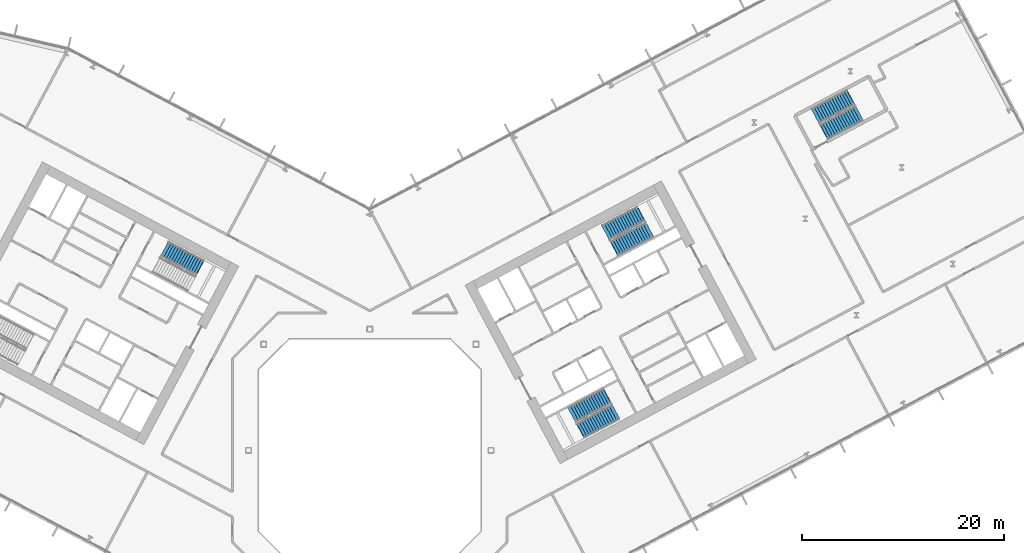
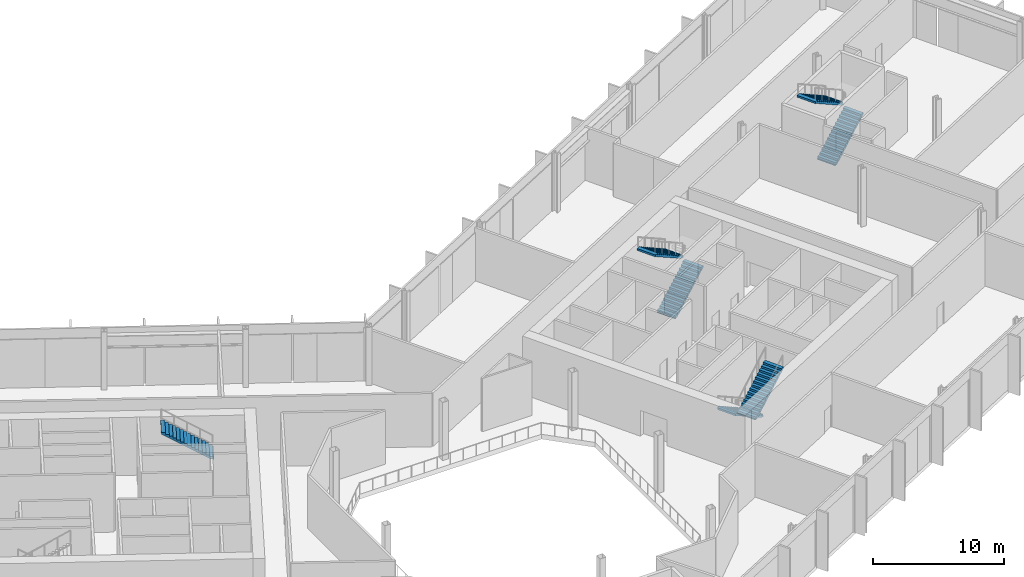
# One storey, part 19 of 31: 7 stair flights, 4 elements without a shape of their own.
"""IFC4 building model written with IfcOpenShell, lengths in metres."""

from ifc_helpers import new_model, si_unit, direction, frame, origin, place, context, subcontext, project, spatial, polyline, outline, extrude, material, type_object, element, aggregate, save


model = new_model("IFC4")

# Units and contexts
model_context = context("Model", 3, precision=1e-05, world=origin(), true_north=direction((0.0, 1.0)))
body_context = subcontext(model_context, "Body", "Model", "MODEL_VIEW")
ifc_project = project(units=[si_unit("LENGTHUNIT", "METRE"), si_unit("AREAUNIT", "SQUARE_METRE"), si_unit("VOLUMEUNIT", "CUBIC_METRE"), si_unit("PLANEANGLEUNIT", "RADIAN"), si_unit("MASSUNIT", "GRAM", prefix="KILO")], contexts=[model_context])

# Site, building, storey
site_placement = place(None, origin())
site = spatial("IfcSite", under=ifc_project, at=site_placement, CompositionType="ELEMENT")
building_placement = place(site_placement, origin())
building = spatial("IfcBuilding", under=site, at=building_placement, Name="Cormorant Relay Tower", CompositionType="ELEMENT")
storey_placement = place(building_placement, frame((0.0, 0.0, 33.800048828125)))
storey = spatial("IfcBuildingStorey", under=building, at=storey_placement, Name="L06", CompositionType="ELEMENT", Elevation=33.800048828125)

# Stair, stair flight
ifc_material_1 = material(Name="Concrete 40 MPa", Category="concrete")
stair_type = type_object("IfcStairType", Name="Exit stair 1500", PredefinedType="HALF_TURN_STAIR", material=ifc_material_1)
stair_1_placement = place(storey_placement, origin())
stair_1 = element("IfcStair", 1, at=stair_1_placement, inside=storey, type_object=stair_type, Name="L06 Stair", PredefinedType="HALF_TURN_STAIR")
ifc_material_2 = material(Name="Concrete 40 MPa", Category="concrete")
stair_flight_type = type_object("IfcStairFlightType", Name="Exit stair flight 1650", PredefinedType="STRAIGHT", material=ifc_material_2)
stair_flight_1_placement = place(storey_placement, frame((-16.80810546875, 18.08251953125, 2.699951171875), z_axis=(0.0, 0.0, 1.0), x_axis=(-0.882947592859, 0.469471562786, 0.0)))
stair_flight_1 = element("IfcStairFlight", 2, at=stair_flight_1_placement, type_object=stair_flight_type, Name="A1 flight 2", NumberOfRisers=15, NumberOfTreads=14, PredefinedType="STRAIGHT", RiserHeight=0.18, TreadLength=0.28, context=body_context, shape_type="SweptSolid", body=[
    extrude(outline(polyline([(-0.050048828125, -0.080078125), (-0.050048828125, 0.0), (0.0, 0.0), (0.0, 0.179931640625), (0.280029296875, 0.179931640625), (0.280029296875, 0.360107421875), (0.56005859375, 0.360107421875), (0.56005859375, 0.5400390625), (0.840087890625, 0.5400390625), (0.840087890625, 0.719970703125), (1.1201171875, 0.719970703125), (1.1201171875, 0.89990234375), (1.39990234375, 0.89990234375), (1.39990234375, 1.080078125), (1.679931640625, 1.080078125), (1.679931640625, 1.260009765625), (1.9599609375, 1.260009765625), (1.9599609375, 1.43994140625), (2.239990234375, 1.43994140625), (2.239990234375, 1.6201171875), (2.52001953125, 1.6201171875), (2.52001953125, 1.800048828125), (2.800048828125, 1.800048828125), (2.800048828125, 1.97998046875), (3.080078125, 1.97998046875), (3.080078125, 2.159912109375), (3.360107421875, 2.159912109375), (3.360107421875, 2.340087890625), (3.639892578125, 2.340087890625), (3.639892578125, 2.52001953125), (3.919921875, 2.52001953125), (3.969970703125, 2.52001953125), (3.969970703125, 2.341796875), (3.919921875, 2.341796875), (0.277099609375, 0.0), (-0.050048828125, -0.080078125)])), frame((0.0, 0.824951171875, 0.0), z_axis=(0.0, -1.0, 0.0), x_axis=(1.0, 0.0, 0.0)), (0.0, 0.0, 1.0), 1.64990234375),
])
aggregate(stair_1, [stair_flight_1])

# Stair, stair flights
stair_2_placement = place(storey_placement, origin())
stair_2 = element("IfcStair", 3, at=stair_2_placement, inside=storey, type_object=stair_type, Name="L06 Stair", PredefinedType="HALF_TURN_STAIR")
stair_flight_2_placement = place(storey_placement, frame((23.474365234375, 5.374755859375, 0.0), z_axis=(0.0, 0.0, 1.0), x_axis=(-0.882947592859, -0.469471562786, 0.0)))
stair_flight_2 = element("IfcStairFlight", 4, at=stair_flight_2_placement, type_object=stair_flight_type, Name="B1 flight 1", NumberOfRisers=15, NumberOfTreads=14, PredefinedType="STRAIGHT", RiserHeight=0.18, TreadLength=0.28, context=body_context, shape_type="SweptSolid", body=[
    extrude(outline(polyline([(-0.050048828125, -0.080078125), (-0.050048828125, 0.0), (0.0, 0.0), (0.0, 0.179931640625), (0.280029296875, 0.179931640625), (0.280029296875, 0.360107421875), (0.56005859375, 0.360107421875), (0.56005859375, 0.5400390625), (0.840087890625, 0.5400390625), (0.840087890625, 0.719970703125), (1.1201171875, 0.719970703125), (1.1201171875, 0.89990234375), (1.39990234375, 0.89990234375), (1.39990234375, 1.080078125), (1.679931640625, 1.080078125), (1.679931640625, 1.260009765625), (1.9599609375, 1.260009765625), (1.9599609375, 1.43994140625), (2.239990234375, 1.43994140625), (2.239990234375, 1.6201171875), (2.52001953125, 1.6201171875), (2.52001953125, 1.800048828125), (2.800048828125, 1.800048828125), (2.800048828125, 1.97998046875), (3.080078125, 1.97998046875), (3.080078125, 2.159912109375), (3.360107421875, 2.159912109375), (3.360107421875, 2.340087890625), (3.639892578125, 2.340087890625), (3.639892578125, 2.52001953125), (3.919921875, 2.52001953125), (3.969970703125, 2.52001953125), (3.969970703125, 2.341796875), (3.919921875, 2.341796875), (0.277099609375, 0.0), (-0.050048828125, -0.080078125)])), frame((0.0, 0.824951171875, 0.0), z_axis=(0.0, -1.0, 0.0), x_axis=(1.0, 0.0, 0.0)), (0.0, 0.0, 1.0), 1.64990234375),
])
stair_flight_3_placement = place(storey_placement, frame((20.8583984375, 1.945068359375, 2.699951171875), z_axis=(0.0, 0.0, 1.0), x_axis=(0.882947592859, 0.469471562786, 0.0)))
stair_flight_3 = element("IfcStairFlight", 5, at=stair_flight_3_placement, type_object=stair_flight_type, Name="B1 flight 2", NumberOfRisers=15, NumberOfTreads=14, PredefinedType="STRAIGHT", RiserHeight=0.18, TreadLength=0.28, context=body_context, shape_type="SweptSolid", body=[
    extrude(outline(polyline([(-0.050048828125, -0.080078125), (-0.050048828125, 0.0), (0.0, 0.0), (0.0, 0.179931640625), (0.280029296875, 0.179931640625), (0.280029296875, 0.360107421875), (0.56005859375, 0.360107421875), (0.56005859375, 0.5400390625), (0.840087890625, 0.5400390625), (0.840087890625, 0.719970703125), (1.1201171875, 0.719970703125), (1.1201171875, 0.89990234375), (1.39990234375, 0.89990234375), (1.39990234375, 1.080078125), (1.679931640625, 1.080078125), (1.679931640625, 1.260009765625), (1.9599609375, 1.260009765625), (1.9599609375, 1.43994140625), (2.239990234375, 1.43994140625), (2.239990234375, 1.6201171875), (2.52001953125, 1.6201171875), (2.52001953125, 1.800048828125), (2.800048828125, 1.800048828125), (2.800048828125, 1.97998046875), (3.080078125, 1.97998046875), (3.080078125, 2.159912109375), (3.360107421875, 2.159912109375), (3.360107421875, 2.340087890625), (3.639892578125, 2.340087890625), (3.639892578125, 2.52001953125), (3.919921875, 2.52001953125), (3.969970703125, 2.52001953125), (3.969970703125, 2.341796875), (3.919921875, 2.341796875), (0.277099609375, 0.0), (-0.050048828125, -0.080078125)])), frame((0.0, 0.824951171875, 0.0), z_axis=(0.0, -1.0, 0.0), x_axis=(1.0, 0.0, 0.0)), (0.0, 0.0, 1.0), 1.64990234375),
])
aggregate(stair_2, [stair_flight_2, stair_flight_3])

stair_3_placement = place(storey_placement, origin())
stair_3 = element("IfcStair", 6, at=stair_3_placement, inside=storey, type_object=stair_type, Name="L06 Stair", PredefinedType="HALF_TURN_STAIR")
stair_flight_4_placement = place(storey_placement, frame((24.20458984375, 19.976806640625, 0.0), z_axis=(0.0, 0.0, 1.0), x_axis=(0.882947592859, 0.469471562786, 0.0)))
stair_flight_4 = element("IfcStairFlight", 7, at=stair_flight_4_placement, type_object=stair_flight_type, Name="B2 flight 1", NumberOfRisers=15, NumberOfTreads=14, PredefinedType="STRAIGHT", RiserHeight=0.18, TreadLength=0.28, context=body_context, shape_type="SweptSolid", body=[
    extrude(outline(polyline([(-0.050048828125, -0.080078125), (-0.050048828125, 0.0), (0.0, 0.0), (0.0, 0.179931640625), (0.280029296875, 0.179931640625), (0.280029296875, 0.360107421875), (0.56005859375, 0.360107421875), (0.56005859375, 0.5400390625), (0.840087890625, 0.5400390625), (0.840087890625, 0.719970703125), (1.1201171875, 0.719970703125), (1.1201171875, 0.89990234375), (1.39990234375, 0.89990234375), (1.39990234375, 1.080078125), (1.679931640625, 1.080078125), (1.679931640625, 1.260009765625), (1.9599609375, 1.260009765625), (1.9599609375, 1.43994140625), (2.239990234375, 1.43994140625), (2.239990234375, 1.6201171875), (2.52001953125, 1.6201171875), (2.52001953125, 1.800048828125), (2.800048828125, 1.800048828125), (2.800048828125, 1.97998046875), (3.080078125, 1.97998046875), (3.080078125, 2.159912109375), (3.360107421875, 2.159912109375), (3.360107421875, 2.340087890625), (3.639892578125, 2.340087890625), (3.639892578125, 2.52001953125), (3.919921875, 2.52001953125), (3.969970703125, 2.52001953125), (3.969970703125, 2.341796875), (3.919921875, 2.341796875), (0.277099609375, 0.0), (-0.050048828125, -0.080078125)])), frame((0.0, 0.824951171875, 0.0), z_axis=(0.0, -1.0, 0.0), x_axis=(1.0, 0.0, 0.0)), (0.0, 0.0, 1.0), 1.64990234375),
])
stair_flight_5_placement = place(storey_placement, frame((26.82080078125, 23.406494140625, 2.699951171875), z_axis=(0.0, 0.0, 1.0), x_axis=(-0.882947592859, -0.469471562786, 0.0)))
stair_flight_5 = element("IfcStairFlight", 8, at=stair_flight_5_placement, type_object=stair_flight_type, Name="B2 flight 2", NumberOfRisers=15, NumberOfTreads=14, PredefinedType="STRAIGHT", RiserHeight=0.18, TreadLength=0.28, context=body_context, shape_type="SweptSolid", body=[
    extrude(outline(polyline([(-0.050048828125, -0.080078125), (-0.050048828125, 0.0), (0.0, 0.0), (0.0, 0.179931640625), (0.280029296875, 0.179931640625), (0.280029296875, 0.360107421875), (0.56005859375, 0.360107421875), (0.56005859375, 0.5400390625), (0.840087890625, 0.5400390625), (0.840087890625, 0.719970703125), (1.1201171875, 0.719970703125), (1.1201171875, 0.89990234375), (1.39990234375, 0.89990234375), (1.39990234375, 1.080078125), (1.679931640625, 1.080078125), (1.679931640625, 1.260009765625), (1.9599609375, 1.260009765625), (1.9599609375, 1.43994140625), (2.239990234375, 1.43994140625), (2.239990234375, 1.6201171875), (2.52001953125, 1.6201171875), (2.52001953125, 1.800048828125), (2.800048828125, 1.800048828125), (2.800048828125, 1.97998046875), (3.080078125, 1.97998046875), (3.080078125, 2.159912109375), (3.360107421875, 2.159912109375), (3.360107421875, 2.340087890625), (3.639892578125, 2.340087890625), (3.639892578125, 2.52001953125), (3.919921875, 2.52001953125), (3.969970703125, 2.52001953125), (3.969970703125, 2.341796875), (3.919921875, 2.341796875), (0.277099609375, 0.0), (-0.050048828125, -0.080078125)])), frame((0.0, 0.824951171875, 0.0), z_axis=(0.0, -1.0, 0.0), x_axis=(1.0, 0.0, 0.0)), (0.0, 0.0, 1.0), 1.64990234375),
])
aggregate(stair_3, [stair_flight_4, stair_flight_5])

stair_4_placement = place(storey_placement, origin())
stair_4 = element("IfcStair", 9, at=stair_4_placement, inside=storey, type_object=stair_type, Name="L06 Stair", PredefinedType="HALF_TURN_STAIR")
stair_flight_6_placement = place(storey_placement, frame((44.947509765625, 31.502197265625, 0.0), z_axis=(0.0, 0.0, 1.0), x_axis=(0.882947502727, 0.4694717323, 0.0)))
stair_flight_6 = element("IfcStairFlight", 10, at=stair_flight_6_placement, type_object=stair_flight_type, Name="RB1 flight 1", NumberOfRisers=15, NumberOfTreads=14, PredefinedType="STRAIGHT", RiserHeight=0.18, TreadLength=0.28, context=body_context, shape_type="SweptSolid", body=[
    extrude(outline(polyline([(-0.050048828125, -0.080078125), (-0.050048828125, 0.0), (0.0, 0.0), (0.0, 0.179931640625), (0.280029296875, 0.179931640625), (0.280029296875, 0.360107421875), (0.56005859375, 0.360107421875), (0.56005859375, 0.5400390625), (0.840087890625, 0.5400390625), (0.840087890625, 0.719970703125), (1.1201171875, 0.719970703125), (1.1201171875, 0.89990234375), (1.39990234375, 0.89990234375), (1.39990234375, 1.080078125), (1.679931640625, 1.080078125), (1.679931640625, 1.260009765625), (1.9599609375, 1.260009765625), (1.9599609375, 1.43994140625), (2.239990234375, 1.43994140625), (2.239990234375, 1.6201171875), (2.52001953125, 1.6201171875), (2.52001953125, 1.800048828125), (2.800048828125, 1.800048828125), (2.800048828125, 1.97998046875), (3.080078125, 1.97998046875), (3.080078125, 2.159912109375), (3.360107421875, 2.159912109375), (3.360107421875, 2.340087890625), (3.639892578125, 2.340087890625), (3.639892578125, 2.52001953125), (3.919921875, 2.52001953125), (3.969970703125, 2.52001953125), (3.969970703125, 2.341796875), (3.919921875, 2.341796875), (0.277099609375, 0.0), (-0.050048828125, -0.080078125)])), frame((0.0, 0.824951171875, 0.0), z_axis=(0.0, -1.0, 0.0), x_axis=(1.0, 0.0, 0.0)), (0.0, 0.0, 1.0), 1.64990234375),
])
stair_flight_7_placement = place(storey_placement, frame((47.563720703125, 34.931640625, 2.699951171875), z_axis=(0.0, 0.0, 1.0), x_axis=(-0.882947502727, -0.4694717323, 0.0)))
stair_flight_7 = element("IfcStairFlight", 11, at=stair_flight_7_placement, type_object=stair_flight_type, Name="RB1 flight 2", NumberOfRisers=15, NumberOfTreads=14, PredefinedType="STRAIGHT", RiserHeight=0.18, TreadLength=0.28, context=body_context, shape_type="SweptSolid", body=[
    extrude(outline(polyline([(-0.050048828125, -0.080078125), (-0.050048828125, 0.0), (0.0, 0.0), (0.0, 0.179931640625), (0.280029296875, 0.179931640625), (0.280029296875, 0.360107421875), (0.56005859375, 0.360107421875), (0.56005859375, 0.5400390625), (0.840087890625, 0.5400390625), (0.840087890625, 0.719970703125), (1.1201171875, 0.719970703125), (1.1201171875, 0.89990234375), (1.39990234375, 0.89990234375), (1.39990234375, 1.080078125), (1.679931640625, 1.080078125), (1.679931640625, 1.260009765625), (1.9599609375, 1.260009765625), (1.9599609375, 1.43994140625), (2.239990234375, 1.43994140625), (2.239990234375, 1.6201171875), (2.52001953125, 1.6201171875), (2.52001953125, 1.800048828125), (2.800048828125, 1.800048828125), (2.800048828125, 1.97998046875), (3.080078125, 1.97998046875), (3.080078125, 2.159912109375), (3.360107421875, 2.159912109375), (3.360107421875, 2.340087890625), (3.639892578125, 2.340087890625), (3.639892578125, 2.52001953125), (3.919921875, 2.52001953125), (3.969970703125, 2.52001953125), (3.969970703125, 2.341796875), (3.919921875, 2.341796875), (0.277099609375, 0.0), (-0.050048828125, -0.080078125)])), frame((0.0, 0.824951171875, 0.0), z_axis=(0.0, -1.0, 0.0), x_axis=(1.0, 0.0, 0.0)), (0.0, 0.0, 1.0), 1.64990234375),
])
aggregate(stair_4, [stair_flight_6, stair_flight_7])

save(model, "model.ifc")
